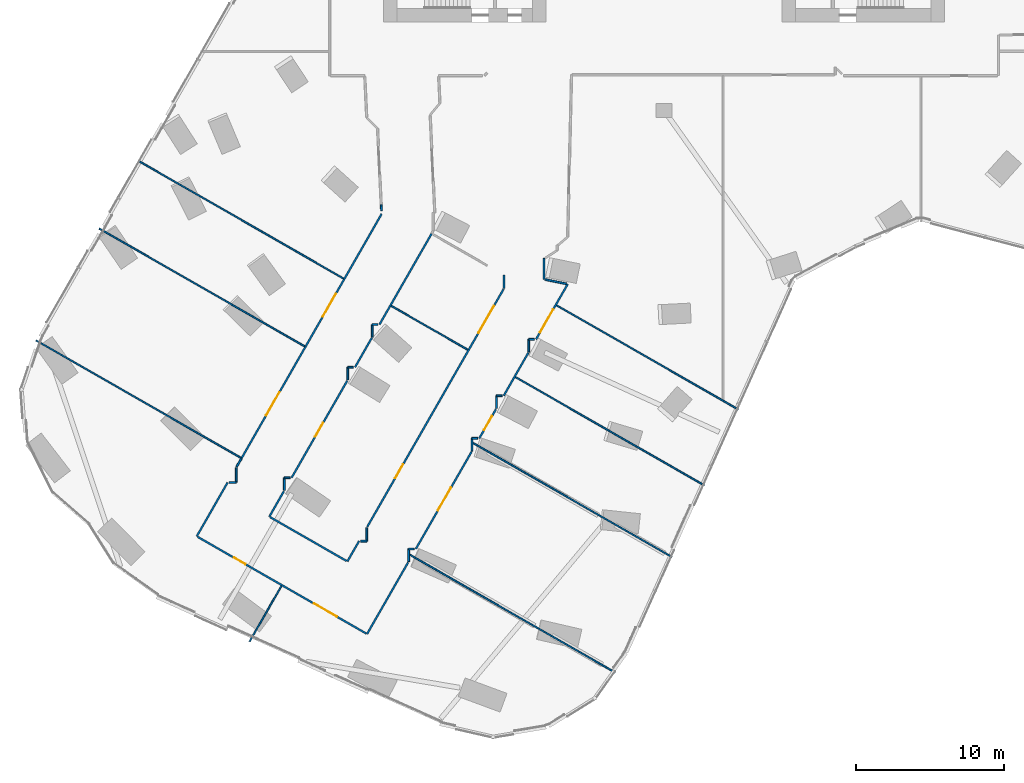
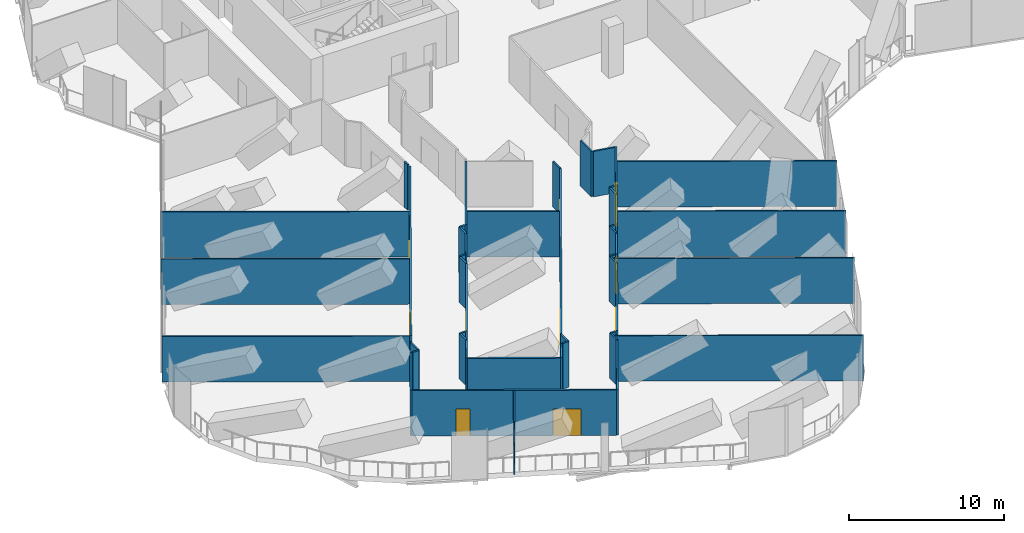
# One storey, part 27 of 37: 47 walls, 10 doors, 10 openings.
"""IFC4 building model written with IfcOpenShell, lengths in metres."""

from ifc_helpers import new_model, si_unit, direction, frame, frame_2d, origin, place, context, subcontext, project, spatial, rectangle, extrude, material, layer, layer_set, type_object, element, fill, save


model = new_model("IFC4")

# Units and contexts
model_context = context("Model", 3, precision=1e-05, world=origin(), true_north=direction((0.0, 1.0)))
body_context = subcontext(model_context, "Body", "Model", "MODEL_VIEW")
ifc_project = project(units=[si_unit("LENGTHUNIT", "METRE"), si_unit("AREAUNIT", "SQUARE_METRE"), si_unit("VOLUMEUNIT", "CUBIC_METRE"), si_unit("PLANEANGLEUNIT", "RADIAN"), si_unit("MASSUNIT", "GRAM", prefix="KILO")], contexts=[model_context])

# Site, building, storey
site_placement = place(None, origin())
site = spatial("IfcSite", under=ifc_project, at=site_placement, CompositionType="ELEMENT")
building_placement = place(site_placement, origin())
building = spatial("IfcBuilding", under=site, at=building_placement, Name="Orlundy Tower", CompositionType="ELEMENT")
storey_placement = place(building_placement, frame((0.0, 0.0, 119.699951171875)))
storey = spatial("IfcBuildingStorey", under=building, at=storey_placement, Name="L30", CompositionType="ELEMENT", Elevation=119.699951171875)

# Walls
ifc_material_1 = material(Name="Gypsum board partition")
ifc_layer_1 = layer(ifc_material_1, 0.10009765625)
ifc_layer_set_1 = layer_set([ifc_layer_1], Name="Floor partition 100")
wall_type_1 = type_object("IfcWallType", Name="Floor partition 100", PredefinedType="PARTITIONING", material=ifc_layer_set_1)
wall_1_placement = place(storey_placement, frame((-42.5419921875, -33.5869140625, 0.0), z_axis=(0.0, 0.0, 1.0), x_axis=(0.867452469996, -0.497520062206, 0.0)))
element("IfcWall", 1, at=wall_1_placement, inside=storey, type_object=wall_type_1, Name="wall-int-L30-013", PredefinedType="PARTITIONING", context=body_context, shape_type="SweptSolid", body=[
    extrude(rectangle(XDim=15.983642578125, YDim=0.10009765625, at=frame_2d((7.99169921875, 0.0))), origin(), (0.0, 0.0, 1.0), 3.580078125),
])
wall_2_placement = place(storey_placement, frame((-17.218994140625, -48.110107421875, 0.0), z_axis=(0.0, 0.0, 1.0), x_axis=(0.867494881958, -0.49744610741, 0.0)))
element("IfcWall", 2, at=wall_2_placement, inside=storey, type_object=wall_type_1, Name="wall-int-L30-014", PredefinedType="PARTITIONING", context=body_context, shape_type="SweptSolid", body=[
    extrude(rectangle(XDim=16.0439453125, YDim=0.10009765625, at=frame_2d((8.02197265625, 0.0))), origin(), (0.0, 0.0, 1.0), 3.580078125),
])
wall_3_placement = place(storey_placement, frame((-38.260986328125, -26.012939453125, 0.0), z_axis=(0.0, 0.0, 1.0), x_axis=(0.867479537308, -0.497472865945, 0.0)))
element("IfcWall", 3, at=wall_3_placement, inside=storey, type_object=wall_type_1, Name="wall-int-L30-015", PredefinedType="PARTITIONING", context=body_context, shape_type="SweptSolid", body=[
    extrude(rectangle(XDim=16.037109375, YDim=0.10009765625, at=frame_2d((8.0185546875, 0.0))), origin(), (0.0, 0.0, 1.0), 3.580078125),
])
wall_4_placement = place(storey_placement, frame((-12.924072265625, -40.5439453125, 0.0), z_axis=(0.0, 0.0, 1.0), x_axis=(0.867484083191, -0.497464938876, 0.0)))
element("IfcWall", 4, at=wall_4_placement, inside=storey, type_object=wall_type_1, Name="wall-int-L30-016", PredefinedType="PARTITIONING", context=body_context, shape_type="SweptSolid", body=[
    extrude(rectangle(XDim=15.5185546875, YDim=0.10009765625, at=frame_2d((7.75927734375, 0.0))), origin(), (0.0, 0.0, 1.0), 3.580078125),
])
wall_5_placement = place(storey_placement, frame((-35.625, -21.416015625, 0.0), z_axis=(0.0, 0.0, 1.0), x_axis=(0.867483304729, -0.497466296363, 0.0)))
element("IfcWall", 5, at=wall_5_placement, inside=storey, type_object=wall_type_1, Name="wall-int-L30-017", PredefinedType="PARTITIONING", context=body_context, shape_type="SweptSolid", body=[
    extrude(rectangle(XDim=16.037353515625, YDim=0.10009765625, at=frame_2d((8.0185546875, 0.0))), origin(), (0.0, 0.0, 1.0), 3.580078125),
])
wall_6_placement = place(storey_placement, frame((-18.48095703125, -31.2470703125, 0.0), z_axis=(0.0, 0.0, 1.0), x_axis=(0.867459879492, -0.497507143136, 0.0)))
element("IfcWall", 6, at=wall_6_placement, inside=storey, type_object=wall_type_1, Name="wall-int-L30-018", PredefinedType="PARTITIONING", context=body_context, shape_type="SweptSolid", body=[
    extrude(rectangle(XDim=5.9736328125, YDim=0.10009765625, at=frame_2d((2.98681640625, 0.0))), origin(), (0.0, 0.0, 1.0), 3.580078125),
])
wall_7_placement = place(storey_placement, frame((-10.06689453125, -36.072998046875, 0.0), z_axis=(0.0, 0.0, 1.0), x_axis=(0.867487826892, -0.497458410518, 0.0)))
element("IfcWall", 7, at=wall_7_placement, inside=storey, type_object=wall_type_1, Name="wall-int-L30-019", PredefinedType="PARTITIONING", context=body_context, shape_type="SweptSolid", body=[
    extrude(rectangle(XDim=14.739013671875, YDim=0.10009765625, at=frame_2d((7.36962890625, 0.0))), origin(), (0.0, 0.0, 1.0), 3.580078125),
])
wall_8_placement = place(storey_placement, frame((-7.278076171875, -31.208984375, 0.0), z_axis=(0.0, 0.0, 1.0), x_axis=(0.867510224985, -0.497419349791, 0.0)))
element("IfcWall", 8, at=wall_8_placement, inside=storey, type_object=wall_type_1, Name="wall-int-L30-021", PredefinedType="PARTITIONING", context=body_context, shape_type="SweptSolid", body=[
    extrude(rectangle(XDim=14.18310546875, YDim=0.10009765625, at=frame_2d((7.091552734375, 0.0))), origin(), (0.0, 0.0, 1.0), 3.580078125),
])
wall_9_placement = place(storey_placement, frame((-28.077880859375, -53.986083984375, 0.0), z_axis=(0.0, 0.0, 1.0), x_axis=(0.497575033099, 0.867420939588, 0.0)))
element("IfcWall", 9, at=wall_9_placement, inside=storey, type_object=wall_type_1, Name="wall-int-L30-085", PredefinedType="PARTITIONING", context=body_context, shape_type="SweptSolid", body=[
    extrude(rectangle(XDim=4.3369140625, YDim=0.10009765625, at=frame_2d((2.16845703125, 0.0))), origin(), (0.0, 0.0, 1.0), 3.580078125),
])
ifc_material_2 = material(Name="Gypsum board partition, double layer")
ifc_layer_2 = layer(ifc_material_2, 0.125)
ifc_layer_set_2 = layer_set([ifc_layer_2], Name="Floor partition 125")
wall_type_2 = type_object("IfcWallType", Name="Floor partition 125", PredefinedType="PARTITIONING", material=ifc_layer_set_2)
wall_10_placement = place(storey_placement, frame((-19.160888671875, -24.39404296875, 0.0), z_axis=(0.0, 0.0, 1.0), x_axis=(0.048301764701, -0.998832788572, 0.0)))
element("IfcWall", 10, at=wall_10_placement, inside=storey, type_object=wall_type_2, Name="wall-int-L30-007", PredefinedType="PARTITIONING", context=body_context, shape_type="SweptSolid", body=[
    extrude(rectangle(XDim=0.409423828125, YDim=0.125, at=frame_2d((0.20458984375, 0.0))), origin(), (0.0, 0.0, 1.0), 3.580078125),
])

# Wall, openings, doors
wall_11_placement = place(storey_placement, frame((-20.1708984375, -53.448974609375, 0.0), z_axis=(0.0, 0.0, 1.0), x_axis=(-0.867500052813, 0.497437089861, 0.0)))
wall_11 = element("IfcWall", 11, at=wall_11_placement, inside=storey, type_object=wall_type_2, Name="wall-int-L30-011", PredefinedType="PARTITIONING", context=body_context, shape_type="SweptSolid", body=[
    extrude(rectangle(XDim=13.179443359375, YDim=0.125, at=frame_2d((6.58984375, 0.0))), origin(), (0.0, 0.0, 1.0), 3.580078125),
])
opening_1_placement = place(wall_11_placement, frame((2.291748046875, 0.0, 0.0)))
opening_1 = element("IfcOpeningElement", 12, at=opening_1_placement, cuts=wall_11, Name="Opening 23115", PredefinedType="OPENING", context=body_context, shape_type="SweptSolid", body=[
    extrude(rectangle(XDim=1.800048828125, YDim=2.10009765625, at=frame_2d((0.89990234375, 1.050048828125))), frame((0.0, 0.072509765625, 0.0), z_axis=(0.0, -1.0, 0.0), x_axis=(1.0, 0.0, 0.0)), (0.0, 0.0, 1.0), 0.14501953125),
])
opening_2_placement = place(wall_11_placement, frame((9.44091796875, 0.0, 0.0)))
opening_2 = element("IfcOpeningElement", 13, at=opening_2_placement, cuts=wall_11, Name="Opening 23116", PredefinedType="OPENING", context=body_context, shape_type="SweptSolid", body=[
    extrude(rectangle(XDim=0.89990234375, YDim=2.10009765625, at=frame_2d((0.449951171875, 1.050048828125))), frame((0.0, 0.072509765625, 0.0), z_axis=(0.0, -1.0, 0.0), x_axis=(1.0, 0.0, 0.0)), (0.0, 0.0, 1.0), 0.14501953125),
])
ifc_material_3 = material(Name="Timber door leaf", Category="wood")
door_type_1 = type_object("IfcDoorType", Name="Floor door double 1800 FD30S", OperationType="NOTDEFINED", PredefinedType="DOOR", material=ifc_material_3)
door_1_placement = place(opening_1_placement, origin())
door_1 = element("IfcDoor", 14, at=door_1_placement, inside=storey, type_object=door_type_1, Name="Door 23115", OperationType="DOUBLE_DOOR_SINGLE_SWING", OverallHeight=2.10009765625, OverallWidth=1.800048828125, PredefinedType="DOOR", context=body_context, shape_type="SweptSolid", body=[
    extrude(rectangle(XDim=1.800048828125, YDim=2.10009765625, at=frame_2d((0.89990234375, 1.050048828125))), frame((0.0, 0.02490234375, 0.0), z_axis=(0.0, -1.0, 0.0), x_axis=(1.0, 0.0, 0.0)), (0.0, 0.0, 1.0), 0.050048828125),
])
fill(opening_1, door_1)
ifc_material_4 = material(Name="Timber door leaf", Category="wood")
door_type_2 = type_object("IfcDoorType", Name="Floor door single 900 FD30S", OperationType="NOTDEFINED", PredefinedType="DOOR", material=ifc_material_4)
door_2_placement = place(opening_2_placement, origin())
door_2 = element("IfcDoor", 15, at=door_2_placement, inside=storey, type_object=door_type_2, Name="Door 23116", OperationType="SINGLE_SWING_RIGHT", OverallHeight=2.10009765625, OverallWidth=0.89990234375, PredefinedType="DOOR", context=body_context, shape_type="SweptSolid", body=[
    extrude(rectangle(XDim=0.89990234375, YDim=2.10009765625, at=frame_2d((0.449951171875, 1.050048828125))), frame((0.0, 0.02490234375, 0.0), z_axis=(0.0, -1.0, 0.0), x_axis=(1.0, 0.0, 0.0)), (0.0, 0.0, 1.0), 0.050048828125),
])
fill(opening_2, door_2)

# Walls
wall_12_placement = place(storey_placement, frame((-26.68896484375, -45.56005859375, 0.0), z_axis=(0.0, 0.0, 1.0), x_axis=(0.867459879492, -0.497507143136, 0.0)))
element("IfcWall", 16, at=wall_12_placement, inside=storey, type_object=wall_type_2, Name="wall-int-L30-012", PredefinedType="PARTITIONING", context=body_context, shape_type="SweptSolid", body=[
    extrude(rectangle(XDim=5.9736328125, YDim=0.125, at=frame_2d((2.98681640625, 0.0))), origin(), (0.0, 0.0, 1.0), 3.580078125),
])
wall_13_placement = place(storey_placement, frame((-8.055908203125, -29.4599609375, 0.0), z_axis=(0.0, 0.0, 1.0), x_axis=(0.979345303745, -0.202194896157, 0.0)))
element("IfcWall", 17, at=wall_13_placement, inside=storey, type_object=wall_type_2, Name="wall-int-L30-034", PredefinedType="PARTITIONING", context=body_context, shape_type="SweptSolid", body=[
    extrude(rectangle(XDim=1.474365234375, YDim=0.125, at=frame_2d((0.7373046875, 0.0))), origin(), (0.0, 0.0, 1.0), 3.580078125),
])
wall_14_placement = place(storey_placement, frame((-17.305908203125, -47.716064453125, 0.0), z_axis=(0.0, 0.0, 1.0), x_axis=(1.0, 0.0, 0.0)))
element("IfcWall", 18, at=wall_14_placement, inside=storey, type_object=wall_type_2, Name="wall-int-L30-041", PredefinedType="PARTITIONING", context=body_context, shape_type="SweptSolid", body=[
    extrude(rectangle(XDim=0.3818359375, YDim=0.125, at=frame_2d((0.19091796875, 0.0))), origin(), (0.0, 0.0, 1.0), 3.580078125),
])
wall_15_placement = place(storey_placement, frame((-20.552978515625, -47.18310546875, 0.0), z_axis=(0.0, 0.0, 1.0), x_axis=(1.0, 0.0, 0.0)))
element("IfcWall", 19, at=wall_15_placement, inside=storey, type_object=wall_type_2, Name="wall-int-L30-042", PredefinedType="PARTITIONING", context=body_context, shape_type="SweptSolid", body=[
    extrude(rectangle(XDim=0.416015625, YDim=0.125, at=frame_2d((0.2080078125, 0.0))), origin(), (0.0, 0.0, 1.0), 3.580078125),
])
wall_16_placement = place(storey_placement, frame((-29.4580078125, -43.2119140625, 0.0), z_axis=(0.0, 0.0, 1.0), x_axis=(1.0, 0.0, 0.0)))
element("IfcWall", 20, at=wall_16_placement, inside=storey, type_object=wall_type_2, Name="wall-int-L30-043", PredefinedType="PARTITIONING", context=body_context, shape_type="SweptSolid", body=[
    extrude(rectangle(XDim=0.470947265625, YDim=0.125, at=frame_2d((0.2353515625, 0.0))), origin(), (0.0, 0.0, 1.0), 3.580078125),
])
wall_17_placement = place(storey_placement, frame((-25.721923828125, -42.889892578125, 0.0), z_axis=(0.0, 0.0, 1.0), x_axis=(1.0, 0.0, 0.0)))
element("IfcWall", 21, at=wall_17_placement, inside=storey, type_object=wall_type_2, Name="wall-int-L30-044", PredefinedType="PARTITIONING", context=body_context, shape_type="SweptSolid", body=[
    extrude(rectangle(XDim=0.384033203125, YDim=0.125, at=frame_2d((0.19189453125, 0.0))), origin(), (0.0, 0.0, 1.0), 3.580078125),
])
wall_18_placement = place(storey_placement, frame((-13.010986328125, -40.22705078125, 0.0), z_axis=(0.0, 0.0, 1.0), x_axis=(1.0, 0.0, 0.0)))
element("IfcWall", 22, at=wall_18_placement, inside=storey, type_object=wall_type_2, Name="wall-int-L30-045", PredefinedType="PARTITIONING", context=body_context, shape_type="SweptSolid", body=[
    extrude(rectangle(XDim=0.382080078125, YDim=0.125, at=frame_2d((0.19091796875, 0.0))), origin(), (0.0, 0.0, 1.0), 3.580078125),
])
wall_19_placement = place(storey_placement, frame((-11.35302734375, -37.3349609375, 0.0), z_axis=(0.0, 0.0, 1.0), x_axis=(1.0, 0.0, 0.0)))
element("IfcWall", 23, at=wall_19_placement, inside=storey, type_object=wall_type_2, Name="wall-int-L30-046", PredefinedType="PARTITIONING", context=body_context, shape_type="SweptSolid", body=[
    extrude(rectangle(XDim=0.383056640625, YDim=0.125, at=frame_2d((0.19140625, 0.0))), origin(), (0.0, 0.0, 1.0), 3.580078125),
])
for number, where, z_axis, x_axis, name in (
    (24, (-21.426025390625, -35.402099609375, 0.0), (0.0, 0.0, 1.0), (1.0, 0.0, 0.0), "wall-int-L30-047"),
    (25, (-9.1640625, -33.51806640625, 0.0), (0.0, 0.0, 1.0), (1.0, 0.0, 0.0), "wall-int-L30-048"),
):
    element("IfcWall", number, at=place(storey_placement, frame(where, z_axis=z_axis, x_axis=x_axis)), inside=storey, type_object=wall_type_2, Name=name, PredefinedType="PARTITIONING", context=body_context, shape_type="SweptSolid", body=[
        extrude(rectangle(XDim=0.382080078125, YDim=0.125, at=frame_2d((0.19091796875, 0.0))), origin(), (0.0, 0.0, 1.0), 3.580078125),
    ])
wall_20_placement = place(storey_placement, frame((-19.76806640625, -32.510009765625, 0.0), z_axis=(0.0, 0.0, 1.0), x_axis=(1.0, 0.0, 0.0)))
element("IfcWall", 26, at=wall_20_placement, inside=storey, type_object=wall_type_2, Name="wall-int-L30-049", PredefinedType="PARTITIONING", context=body_context, shape_type="SweptSolid", body=[
    extrude(rectangle(XDim=0.383056640625, YDim=0.125, at=frame_2d((0.19140625, 0.0))), origin(), (0.0, 0.0, 1.0), 3.580078125),
])
wall_21_placement = place(storey_placement, frame((-21.452880859375, -48.56298828125, 0.0), z_axis=(0.0, 0.0, 1.0), x_axis=(0.497743370952, 0.867324354941, 0.0)))
element("IfcWall", 27, at=wall_21_placement, inside=storey, type_object=wall_type_2, Name="wall-int-L30-077", PredefinedType="PARTITIONING", context=body_context, shape_type="SweptSolid", body=[
    extrude(rectangle(XDim=1.588623046875, YDim=0.125, at=frame_2d((0.79443359375, 0.0))), origin(), (0.0, 0.0, 1.0), 3.580078125),
])
wall_22_placement = place(storey_placement, frame((-28.9560546875, -42.14990234375, 0.0), z_axis=(0.0, 0.0, 1.0), x_axis=(0.498025161268, 0.867162579188, 0.0)))
element("IfcWall", 28, at=wall_22_placement, inside=storey, type_object=wall_type_2, Name="wall-int-L30-078", PredefinedType="PARTITIONING", context=body_context, shape_type="SweptSolid", body=[
    extrude(rectangle(XDim=0.668701171875, YDim=0.125, at=frame_2d((0.33447265625, 0.0))), origin(), (0.0, 0.0, 1.0), 3.580078125),
])
wall_23_placement = place(storey_placement, frame((-20.1201171875, -53.47802734375, 0.0), z_axis=(0.0, 0.0, 1.0), x_axis=(0.497511151809, 0.867457580418, 0.0)))
element("IfcWall", 29, at=wall_23_placement, inside=storey, type_object=wall_type_2, Name="wall-int-L30-079", PredefinedType="PARTITIONING", context=body_context, shape_type="SweptSolid", body=[
    extrude(rectangle(XDim=5.59228515625, YDim=0.125, at=frame_2d((2.796142578125, 0.0))), origin(), (0.0, 0.0, 1.0), 3.580078125),
])

# Wall, opening, door
wall_24_placement = place(storey_placement, frame((-13.04296875, -41.136962890625, 0.0), z_axis=(0.0, 0.0, 1.0), x_axis=(-0.497476495559, -0.867477455826, 0.0)))
wall_24 = element("IfcWall", 30, at=wall_24_placement, inside=storey, type_object=wall_type_2, Name="wall-int-L30-080", PredefinedType="PARTITIONING", context=body_context, shape_type="SweptSolid", body=[
    extrude(rectangle(XDim=7.584228515625, YDim=0.125, at=frame_2d((3.7919921875, 0.0))), origin(), (0.0, 0.0, 1.0), 3.580078125),
])
opening_3_placement = place(wall_24_placement, frame((2.78759765625, 0.0, 0.0)))
opening_3 = element("IfcOpeningElement", 31, at=opening_3_placement, cuts=wall_24, Name="Opening 23111", PredefinedType="OPENING", context=body_context, shape_type="SweptSolid", body=[
    extrude(rectangle(XDim=1.800048828125, YDim=2.10009765625, at=frame_2d((0.89990234375, 1.050048828125))), frame((0.0, 0.072509765625, 0.0), z_axis=(0.0, -1.0, 0.0), x_axis=(1.0, 0.0, 0.0)), (0.0, 0.0, 1.0), 0.14501953125),
])
door_3_placement = place(opening_3_placement, origin())
door_3 = element("IfcDoor", 32, at=door_3_placement, inside=storey, type_object=door_type_1, Name="Door 23111", OperationType="DOUBLE_DOOR_SINGLE_SWING", OverallHeight=2.10009765625, OverallWidth=1.800048828125, PredefinedType="DOOR", context=body_context, shape_type="SweptSolid", body=[
    extrude(rectangle(XDim=1.800048828125, YDim=2.10009765625, at=frame_2d((0.89990234375, 1.050048828125))), frame((0.0, 0.02490234375, 0.0), z_axis=(0.0, -1.0, 0.0), x_axis=(1.0, 0.0, 0.0)), (0.0, 0.0, 1.0), 0.050048828125),
])
fill(opening_3, door_3)

wall_25_placement = place(storey_placement, frame((-11.385009765625, -38.24609375, 0.0), z_axis=(0.0, 0.0, 1.0), x_axis=(-0.497325070569, -0.867564276687, 0.0)))
wall_25 = element("IfcWall", 33, at=wall_25_placement, inside=storey, type_object=wall_type_2, Name="wall-int-L30-081", PredefinedType="PARTITIONING", context=body_context, shape_type="SweptSolid", body=[
    extrude(rectangle(XDim=2.2822265625, YDim=0.125, at=frame_2d((1.14111328125, 0.0))), origin(), (0.0, 0.0, 1.0), 3.580078125),
])
opening_4_placement = place(wall_25_placement, frame((0.53759765625, 0.0, 0.0)))
opening_4 = element("IfcOpeningElement", 34, at=opening_4_placement, cuts=wall_25, Name="Opening 23110", PredefinedType="OPENING", context=body_context, shape_type="SweptSolid", body=[
    extrude(rectangle(XDim=1.10009765625, YDim=2.10009765625, at=frame_2d((0.550048828125, 1.050048828125))), frame((0.0, 0.072509765625, 0.0), z_axis=(0.0, -1.0, 0.0), x_axis=(1.0, 0.0, 0.0)), (0.0, 0.0, 1.0), 0.14501953125),
])
ifc_material_5 = material(Name="Timber door leaf", Category="wood")
door_type_3 = type_object("IfcDoorType", Name="Floor door xwide 1100 FD30S", OperationType="NOTDEFINED", PredefinedType="DOOR", material=ifc_material_5)
door_4_placement = place(opening_4_placement, origin())
door_4 = element("IfcDoor", 35, at=door_4_placement, inside=storey, type_object=door_type_3, Name="Door 23110", OperationType="SINGLE_SWING_LEFT", OverallHeight=2.10009765625, OverallWidth=1.10009765625, PredefinedType="DOOR", context=body_context, shape_type="SweptSolid", body=[
    extrude(rectangle(XDim=1.10009765625, YDim=2.10009765625, at=frame_2d((0.550048828125, 1.050048828125))), frame((0.0, 0.02490234375, 0.0), z_axis=(0.0, -1.0, 0.0), x_axis=(1.0, 0.0, 0.0)), (0.0, 0.0, 1.0), 0.050048828125),
])
fill(opening_4, door_4)

# Wall
wall_26_placement = place(storey_placement, frame((-10.862060546875, -37.3349609375, 0.0), z_axis=(0.0, 0.0, 1.0), x_axis=(0.497237135283, 0.867614679046, 0.0)))
element("IfcWall", 36, at=wall_26_placement, inside=storey, type_object=wall_type_2, Name="wall-int-L30-082", PredefinedType="PARTITIONING", context=body_context, shape_type="SweptSolid", body=[
    extrude(rectangle(XDim=3.3505859375, YDim=0.125, at=frame_2d((1.67529296875, 0.0))), origin(), (0.0, 0.0, 1.0), 3.580078125),
])

# Wall, opening, door
wall_27_placement = place(storey_placement, frame((-6.52587890625, -29.77294921875, 0.0), z_axis=(0.0, 0.0, 1.0), x_axis=(-0.497557170908, -0.867431185558, 0.0)))
wall_27 = element("IfcWall", 37, at=wall_27_placement, inside=storey, type_object=wall_type_2, Name="wall-int-L30-083", PredefinedType="PARTITIONING", context=body_context, shape_type="SweptSolid", body=[
    extrude(rectangle(XDim=4.3173828125, YDim=0.125, at=frame_2d((2.15869140625, 0.0))), origin(), (0.0, 0.0, 1.0), 3.580078125),
])
opening_5_placement = place(wall_27_placement, frame((1.969482421875, 0.0, 0.0)))
opening_5 = element("IfcOpeningElement", 38, at=opening_5_placement, cuts=wall_27, Name="Opening 23109", PredefinedType="OPENING", context=body_context, shape_type="SweptSolid", body=[
    extrude(rectangle(XDim=1.800048828125, YDim=2.10009765625, at=frame_2d((0.89990234375, 1.050048828125))), frame((0.0, 0.072509765625, 0.0), z_axis=(0.0, -1.0, 0.0), x_axis=(1.0, 0.0, 0.0)), (0.0, 0.0, 1.0), 0.14501953125),
])
door_5_placement = place(opening_5_placement, origin())
door_5 = element("IfcDoor", 39, at=door_5_placement, inside=storey, type_object=door_type_1, Name="Door 23109", OperationType="DOUBLE_DOOR_SINGLE_SWING", OverallHeight=2.10009765625, OverallWidth=1.800048828125, PredefinedType="DOOR", context=body_context, shape_type="SweptSolid", body=[
    extrude(rectangle(XDim=1.800048828125, YDim=2.10009765625, at=frame_2d((0.89990234375, 1.050048828125))), frame((0.0, 0.02490234375, 0.0), z_axis=(0.0, -1.0, 0.0), x_axis=(1.0, 0.0, 0.0)), (0.0, 0.0, 1.0), 0.050048828125),
])
fill(opening_5, door_5)

# Wall, openings, doors
wall_28_placement = place(storey_placement, frame((-20.10595703125, -46.216064453125, 0.0), z_axis=(0.0, 0.0, 1.0), x_axis=(0.497433217502, 0.867502273268, 0.0)))
wall_28 = element("IfcWall", 40, at=wall_28_placement, inside=storey, type_object=wall_type_2, Name="wall-int-L30-084", PredefinedType="PARTITIONING", context=body_context, shape_type="SweptSolid", body=[
    extrude(rectangle(XDim=18.55908203125, YDim=0.125, at=frame_2d((9.279541015625, 0.0))), origin(), (0.0, 0.0, 1.0), 3.580078125),
])
opening_6_placement = place(wall_28_placement, frame((15.143310546875, 0.0, 0.0)))
opening_6 = element("IfcOpeningElement", 41, at=opening_6_placement, cuts=wall_28, Name="Opening 23112", PredefinedType="OPENING", context=body_context, shape_type="SweptSolid", body=[
    extrude(rectangle(XDim=2.10009765625, YDim=2.10009765625, at=frame_2d((1.050048828125, 1.050048828125))), frame((0.0, 0.072509765625, 0.0), z_axis=(0.0, -1.0, 0.0), x_axis=(1.0, 0.0, 0.0)), (0.0, 0.0, 1.0), 0.14501953125),
])
opening_7_placement = place(wall_28_placement, frame((3.78759765625, 0.0, 0.0)))
opening_7 = element("IfcOpeningElement", 42, at=opening_7_placement, cuts=wall_28, Name="Opening 23114", PredefinedType="OPENING", context=body_context, shape_type="SweptSolid", body=[
    extrude(rectangle(XDim=1.10009765625, YDim=2.10009765625, at=frame_2d((0.550048828125, 1.050048828125))), frame((0.0, 0.072509765625, 0.0), z_axis=(0.0, -1.0, 0.0), x_axis=(1.0, 0.0, 0.0)), (0.0, 0.0, 1.0), 0.14501953125),
])
ifc_material_6 = material(Name="Timber door leaf", Category="wood")
door_type_4 = type_object("IfcDoorType", Name="Floor door double 2100 FD30S", OperationType="NOTDEFINED", PredefinedType="DOOR", material=ifc_material_6)
door_6_placement = place(opening_6_placement, origin())
door_6 = element("IfcDoor", 43, at=door_6_placement, inside=storey, type_object=door_type_4, Name="Door 23112", OperationType="DOUBLE_DOOR_SINGLE_SWING", OverallHeight=2.10009765625, OverallWidth=2.10009765625, PredefinedType="DOOR", context=body_context, shape_type="SweptSolid", body=[
    extrude(rectangle(XDim=2.10009765625, YDim=2.10009765625, at=frame_2d((1.050048828125, 1.050048828125))), frame((0.0, 0.02490234375, 0.0), z_axis=(0.0, -1.0, 0.0), x_axis=(1.0, 0.0, 0.0)), (0.0, 0.0, 1.0), 0.050048828125),
])
fill(opening_6, door_6)
door_7_placement = place(opening_7_placement, origin())
door_7 = element("IfcDoor", 44, at=door_7_placement, inside=storey, type_object=door_type_3, Name="Door 23114", OperationType="SINGLE_SWING_LEFT", OverallHeight=2.10009765625, OverallWidth=1.10009765625, PredefinedType="DOOR", context=body_context, shape_type="SweptSolid", body=[
    extrude(rectangle(XDim=1.10009765625, YDim=2.10009765625, at=frame_2d((0.550048828125, 1.050048828125))), frame((0.0, 0.02490234375, 0.0), z_axis=(0.0, -1.0, 0.0), x_axis=(1.0, 0.0, 0.0)), (0.0, 0.0, 1.0), 0.050048828125),
])
fill(opening_7, door_7)

# Wall, opening, door
wall_29_placement = place(storey_placement, frame((-21.4580078125, -36.31201171875, 0.0), z_axis=(0.0, 0.0, 1.0), x_axis=(-0.497504635005, -0.867461317955, 0.0)))
wall_29 = element("IfcWall", 45, at=wall_29_placement, inside=storey, type_object=wall_type_2, Name="wall-int-L30-086", PredefinedType="PARTITIONING", context=body_context, shape_type="SweptSolid", body=[
    extrude(rectangle(XDim=7.581787109375, YDim=0.125, at=frame_2d((3.791015625, 0.0))), origin(), (0.0, 0.0, 1.0), 3.580078125),
])
opening_8_placement = place(wall_29_placement, frame((3.28759765625, 0.0, 0.0)))
opening_8 = element("IfcOpeningElement", 46, at=opening_8_placement, cuts=wall_29, Name="Opening 23113", PredefinedType="OPENING", context=body_context, shape_type="SweptSolid", body=[
    extrude(rectangle(XDim=1.10009765625, YDim=2.10009765625, at=frame_2d((0.550048828125, 1.050048828125))), frame((0.0, 0.072509765625, 0.0), z_axis=(0.0, -1.0, 0.0), x_axis=(1.0, 0.0, 0.0)), (0.0, 0.0, 1.0), 0.14501953125),
])
door_8_placement = place(opening_8_placement, origin())
door_8 = element("IfcDoor", 47, at=door_8_placement, inside=storey, type_object=door_type_3, Name="Door 23113", OperationType="SINGLE_SWING_RIGHT", OverallHeight=2.10009765625, OverallWidth=1.10009765625, PredefinedType="DOOR", context=body_context, shape_type="SweptSolid", body=[
    extrude(rectangle(XDim=1.10009765625, YDim=2.10009765625, at=frame_2d((0.550048828125, 1.050048828125))), frame((0.0, 0.02490234375, 0.0), z_axis=(0.0, -1.0, 0.0), x_axis=(1.0, 0.0, 0.0)), (0.0, 0.0, 1.0), 0.050048828125),
])
fill(opening_8, door_8)

# Walls
wall_30_placement = place(storey_placement, frame((-20.93505859375, -35.39990234375, 0.0), z_axis=(0.0, 0.0, 1.0), x_axis=(0.497462427817, 0.86748552317, 0.0)))
element("IfcWall", 48, at=wall_30_placement, inside=storey, type_object=wall_type_2, Name="wall-int-L30-087", PredefinedType="PARTITIONING", context=body_context, shape_type="SweptSolid", body=[
    extrude(rectangle(XDim=2.283447265625, YDim=0.125, at=frame_2d((1.1416015625, 0.0))), origin(), (0.0, 0.0, 1.0), 3.580078125),
])
wall_31_placement = place(storey_placement, frame((-19.277099609375, -32.509033203125, 0.0), z_axis=(0.0, 0.0, 1.0), x_axis=(0.497782718783, 0.867301772673, 0.0)))
element("IfcWall", 49, at=wall_31_placement, inside=storey, type_object=wall_type_2, Name="wall-int-L30-088", PredefinedType="PARTITIONING", context=body_context, shape_type="SweptSolid", body=[
    extrude(rectangle(XDim=7.097900390625, YDim=0.125, at=frame_2d((3.548828125, 0.0))), origin(), (0.0, 0.0, 1.0), 3.580078125),
])
wall_32_placement = place(storey_placement, frame((-26.742919921875, -45.529052734375, 0.0), z_axis=(0.0, 0.0, 1.0), x_axis=(0.497102378574, 0.867691895327, 0.0)))
element("IfcWall", 50, at=wall_32_placement, inside=storey, type_object=wall_type_2, Name="wall-int-L30-089", PredefinedType="PARTITIONING", context=body_context, shape_type="SweptSolid", body=[
    extrude(rectangle(XDim=1.991455078125, YDim=0.125, at=frame_2d((0.99560546875, 0.0))), origin(), (0.0, 0.0, 1.0), 3.580078125),
])
wall_33_placement = place(storey_placement, frame((-31.657958984375, -46.861083984375, 0.0), z_axis=(0.0, 0.0, 1.0), x_axis=(0.497457512101, 0.867488342085, 0.0)))
element("IfcWall", 51, at=wall_33_placement, inside=storey, type_object=wall_type_2, Name="wall-int-L30-090", PredefinedType="PARTITIONING", context=body_context, shape_type="SweptSolid", body=[
    extrude(rectangle(XDim=4.20556640625, YDim=0.125, at=frame_2d((2.102783203125, 0.0))), origin(), (0.0, 0.0, 1.0), 3.580078125),
])

# Wall, openings, doors
wall_34_placement = place(storey_placement, frame((-28.623046875, -41.570068359375, 0.0), z_axis=(0.0, 0.0, 1.0), x_axis=(0.497445996274, 0.867494945686, 0.0)))
wall_34 = element("IfcWall", 52, at=wall_34_placement, inside=storey, type_object=wall_type_2, Name="wall-int-L30-091", PredefinedType="PARTITIONING", context=body_context, shape_type="SweptSolid", body=[
    extrude(rectangle(XDim=19.081298828125, YDim=0.125, at=frame_2d((9.54052734375, 0.0))), origin(), (0.0, 0.0, 1.0), 3.580078125),
])
opening_9_placement = place(wall_34_placement, frame((11.05078125, 0.0, 0.0)))
opening_9 = element("IfcOpeningElement", 53, at=opening_9_placement, cuts=wall_34, Name="Opening 23117", PredefinedType="OPENING", context=body_context, shape_type="SweptSolid", body=[
    extrude(rectangle(XDim=1.800048828125, YDim=2.10009765625, at=frame_2d((0.89990234375, 1.050048828125))), frame((0.0, 0.072509765625, 0.0), z_axis=(0.0, -1.0, 0.0), x_axis=(1.0, 0.0, 0.0)), (0.0, 0.0, 1.0), 0.14501953125),
])
opening_10_placement = place(wall_34_placement, frame((3.35009765625, 0.0, 0.0)))
opening_10 = element("IfcOpeningElement", 54, at=opening_10_placement, cuts=wall_34, Name="Opening 23118", PredefinedType="OPENING", context=body_context, shape_type="SweptSolid", body=[
    extrude(rectangle(XDim=1.800048828125, YDim=2.10009765625, at=frame_2d((0.89990234375, 1.050048828125))), frame((0.0, 0.072509765625, 0.0), z_axis=(0.0, -1.0, 0.0), x_axis=(1.0, 0.0, 0.0)), (0.0, 0.0, 1.0), 0.14501953125),
])
door_9_placement = place(opening_9_placement, origin())
door_9 = element("IfcDoor", 55, at=door_9_placement, inside=storey, type_object=door_type_1, Name="Door 23117", OperationType="DOUBLE_DOOR_SINGLE_SWING", OverallHeight=2.10009765625, OverallWidth=1.800048828125, PredefinedType="DOOR", context=body_context, shape_type="SweptSolid", body=[
    extrude(rectangle(XDim=1.800048828125, YDim=2.10009765625, at=frame_2d((0.89990234375, 1.050048828125))), frame((0.0, 0.02490234375, 0.0), z_axis=(0.0, -1.0, 0.0), x_axis=(1.0, 0.0, 0.0)), (0.0, 0.0, 1.0), 0.050048828125),
])
fill(opening_9, door_9)
door_10_placement = place(opening_10_placement, origin())
door_10 = element("IfcDoor", 56, at=door_10_placement, inside=storey, type_object=door_type_1, Name="Door 23118", OperationType="DOUBLE_DOOR_SINGLE_SWING", OverallHeight=2.10009765625, OverallWidth=1.800048828125, PredefinedType="DOOR", context=body_context, shape_type="SweptSolid", body=[
    extrude(rectangle(XDim=1.800048828125, YDim=2.10009765625, at=frame_2d((0.89990234375, 1.050048828125))), frame((0.0, 0.02490234375, 0.0), z_axis=(0.0, -1.0, 0.0), x_axis=(1.0, 0.0, 0.0)), (0.0, 0.0, 1.0), 0.050048828125),
])
fill(opening_10, door_10)

# Walls
wall_35_placement = place(storey_placement, frame((-8.131103515625, -29.444091796875, 0.0), z_axis=(0.0, 0.0, 1.0), x_axis=(0.0, 1.0, 0.0)))
element("IfcWall", 57, at=wall_35_placement, inside=storey, type_object=wall_type_2, Name="wall-int-L30-127", PredefinedType="PARTITIONING", context=body_context, shape_type="SweptSolid", body=[
    extrude(rectangle(XDim=1.422119140625, YDim=0.125, at=frame_2d((0.7109375, 0.0))), origin(), (0.0, 0.0, 1.0), 3.580078125),
])
wall_36_placement = place(storey_placement, frame((-9.1640625, -34.3740234375, 0.0), z_axis=(0.0, 0.0, 1.0), x_axis=(0.0, 1.0, 0.0)))
element("IfcWall", 58, at=wall_36_placement, inside=storey, type_object=wall_type_2, Name="wall-int-L30-128", PredefinedType="PARTITIONING", context=body_context, shape_type="SweptSolid", body=[
    extrude(rectangle(XDim=0.85595703125, YDim=0.125, at=frame_2d((0.427978515625, 0.0))), origin(), (0.0, 0.0, 1.0), 3.580078125),
])
wall_37_placement = place(storey_placement, frame((-10.843017578125, -30.06201171875, 0.0), z_axis=(0.0, 0.0, 1.0), x_axis=(0.0, 1.0, 0.0)))
element("IfcWall", 59, at=wall_37_placement, inside=storey, type_object=wall_type_2, Name="wall-int-L30-129", PredefinedType="PARTITIONING", context=body_context, shape_type="SweptSolid", body=[
    extrude(rectangle(XDim=0.89794921875, YDim=0.125, at=frame_2d((0.448974609375, 0.0))), origin(), (0.0, 0.0, 1.0), 3.580078125),
])
wall_38_placement = place(storey_placement, frame((-11.35302734375, -38.19091796875, 0.0), z_axis=(0.0, 0.0, 1.0), x_axis=(0.0, 1.0, 0.0)))
element("IfcWall", 60, at=wall_38_placement, inside=storey, type_object=wall_type_2, Name="wall-int-L30-130", PredefinedType="PARTITIONING", context=body_context, shape_type="SweptSolid", body=[
    extrude(rectangle(XDim=0.85595703125, YDim=0.125, at=frame_2d((0.427978515625, 0.0))), origin(), (0.0, 0.0, 1.0), 3.580078125),
])
wall_39_placement = place(storey_placement, frame((-13.010986328125, -41.08203125, 0.0), z_axis=(0.0, 0.0, 1.0), x_axis=(0.0, 1.0, 0.0)))
element("IfcWall", 61, at=wall_39_placement, inside=storey, type_object=wall_type_2, Name="wall-int-L30-132", PredefinedType="PARTITIONING", context=body_context, shape_type="SweptSolid", body=[
    extrude(rectangle(XDim=0.85498046875, YDim=0.125, at=frame_2d((0.427490234375, 0.0))), origin(), (0.0, 0.0, 1.0), 3.580078125),
])
wall_40_placement = place(storey_placement, frame((-17.305908203125, -48.572021484375, 0.0), z_axis=(0.0, 0.0, 1.0), x_axis=(0.0, 1.0, 0.0)))
element("IfcWall", 62, at=wall_40_placement, inside=storey, type_object=wall_type_2, Name="wall-int-L30-134", PredefinedType="PARTITIONING", context=body_context, shape_type="SweptSolid", body=[
    extrude(rectangle(XDim=0.85595703125, YDim=0.125, at=frame_2d((0.427978515625, 0.0))), origin(), (0.0, 0.0, 1.0), 3.580078125),
])
wall_41_placement = place(storey_placement, frame((-19.76806640625, -33.364990234375, 0.0), z_axis=(0.0, 0.0, 1.0), x_axis=(0.0, 1.0, 0.0)))
element("IfcWall", 63, at=wall_41_placement, inside=storey, type_object=wall_type_2, Name="wall-int-L30-135", PredefinedType="PARTITIONING", context=body_context, shape_type="SweptSolid", body=[
    extrude(rectangle(XDim=0.85498046875, YDim=0.125, at=frame_2d((0.427490234375, 0.0))), origin(), (0.0, 0.0, 1.0), 3.580078125),
])
wall_42_placement = place(storey_placement, frame((-20.136962890625, -47.18310546875, 0.0), z_axis=(0.0, 0.0, 1.0), x_axis=(0.0, 1.0, 0.0)))
element("IfcWall", 64, at=wall_42_placement, inside=storey, type_object=wall_type_2, Name="wall-int-L30-136", PredefinedType="PARTITIONING", context=body_context, shape_type="SweptSolid", body=[
    extrude(rectangle(XDim=0.9130859375, YDim=0.125, at=frame_2d((0.45654296875, 0.0))), origin(), (0.0, 0.0, 1.0), 3.580078125),
])
wall_43_placement = place(storey_placement, frame((-21.426025390625, -36.258056640625, 0.0), z_axis=(0.0, 0.0, 1.0), x_axis=(0.0, 1.0, 0.0)))
element("IfcWall", 65, at=wall_43_placement, inside=storey, type_object=wall_type_2, Name="wall-int-L30-137", PredefinedType="PARTITIONING", context=body_context, shape_type="SweptSolid", body=[
    extrude(rectangle(XDim=0.85595703125, YDim=0.125, at=frame_2d((0.427978515625, 0.0))), origin(), (0.0, 0.0, 1.0), 3.580078125),
])
wall_44_placement = place(storey_placement, frame((-25.721923828125, -43.7470703125, 0.0), z_axis=(0.0, 0.0, 1.0), x_axis=(0.0, 1.0, 0.0)))
element("IfcWall", 66, at=wall_44_placement, inside=storey, type_object=wall_type_2, Name="wall-int-L30-139", PredefinedType="PARTITIONING", context=body_context, shape_type="SweptSolid", body=[
    extrude(rectangle(XDim=0.857177734375, YDim=0.125, at=frame_2d((0.4287109375, 0.0))), origin(), (0.0, 0.0, 1.0), 3.580078125),
])
wall_45_placement = place(storey_placement, frame((-28.987060546875, -43.2119140625, 0.0), z_axis=(0.0, 0.0, 1.0), x_axis=(0.0, 1.0, 0.0)))
element("IfcWall", 67, at=wall_45_placement, inside=storey, type_object=wall_type_2, Name="wall-int-L30-141", PredefinedType="PARTITIONING", context=body_context, shape_type="SweptSolid", body=[
    extrude(rectangle(XDim=1.0078125, YDim=0.125, at=frame_2d((0.50390625, 0.0))), origin(), (0.0, 0.0, 1.0), 3.580078125),
])

save(model, "model.ifc")
